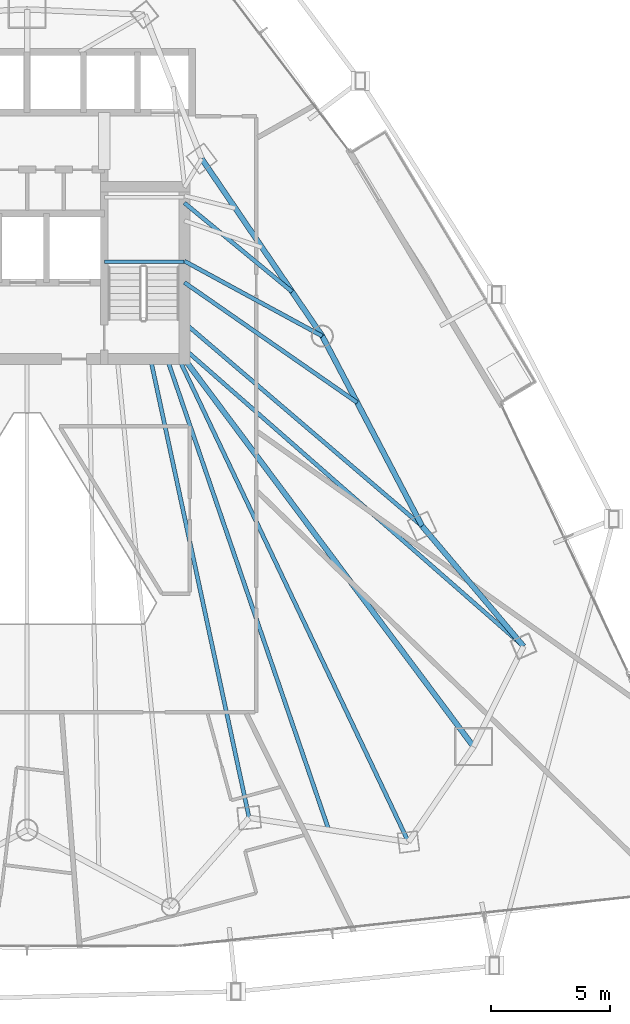
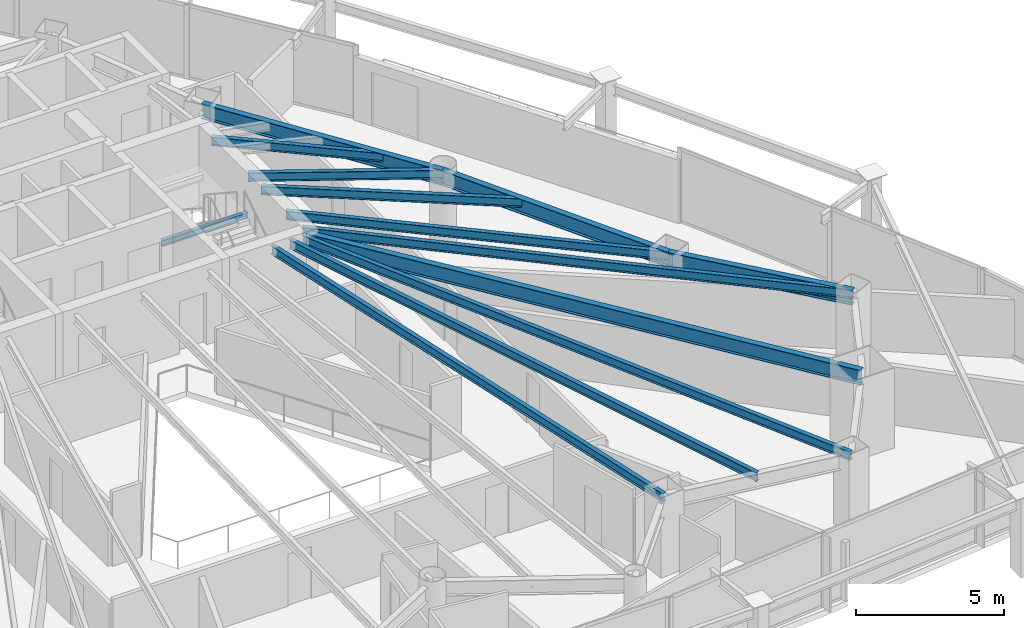
# One storey, part 17 of 33: 13 beams.
"""IFC4 building model written with IfcOpenShell, lengths in metres."""

from ifc_helpers import new_model, si_unit, direction, frame, origin, origin_2d, place, context, subcontext, project, spatial, i_section, extrude, material, material_profile, profile_set, type_object, element, save


model = new_model("IFC4")

# Units and contexts
model_context = context("Model", 3, precision=1e-05, world=origin(), true_north=direction((0.0, 1.0)))
body_context = subcontext(model_context, "Body", "Model", "MODEL_VIEW")
ifc_project = project(units=[si_unit("LENGTHUNIT", "METRE"), si_unit("AREAUNIT", "SQUARE_METRE"), si_unit("VOLUMEUNIT", "CUBIC_METRE"), si_unit("PLANEANGLEUNIT", "RADIAN"), si_unit("MASSUNIT", "GRAM", prefix="KILO")], contexts=[model_context])

# Site, building, storey
site_placement = place(None, origin())
site = spatial("IfcSite", under=ifc_project, at=site_placement, CompositionType="ELEMENT")
building_placement = place(site_placement, origin())
building = spatial("IfcBuilding", under=site, at=building_placement, Name="Orvanel Arch Residences", CompositionType="ELEMENT")
storey_placement = place(building_placement, frame((0.0, 0.0, 70.85009765625)))
storey = spatial("IfcBuildingStorey", under=building, at=storey_placement, Name="L19", CompositionType="ELEMENT", Elevation=70.85009765625)

# Beams
ifc_material = material(Name="Structural steel AS/NZS 3679.1 Grade 300 (300 MPa)", Category="steel")
ifc_material_profile_1 = material_profile(ifc_material, i_section(OverallWidth=0.22900390625, OverallDepth=0.612060546875, WebThickness=0.011962890625, FlangeThickness=0.01953125, at=origin_2d()), Name="610UB125")
ifc_profile_set_1 = profile_set([ifc_material_profile_1], Name="Structural steel AS/NZS 3679.1 Grade 300 (300 MPa)")
beam_type_1 = type_object("IfcBeamType", Name="BG-610UB", PredefinedType="BEAM", material=ifc_profile_set_1)
beam_1_placement = place(storey_placement, frame((39.625, 26.675048828125, 2.75390625), z_axis=(0.597893733742, -0.801575375839, 0.0), x_axis=(0.801575375839, 0.597893733742, 0.0)))
element("IfcBeam", 1, at=beam_1_placement, inside=storey, type_object=beam_type_1, Name="L19 South-East Radial Girder", PredefinedType="BEAM", context=body_context, shape_type="SweptSolid", body=[
    extrude(i_section(OverallWidth=0.22900390625, OverallDepth=0.612060546875, WebThickness=0.011962890625, FlangeThickness=0.01953125, at=origin_2d()), origin(), (0.0, 0.0, 1.0), 20.36474609375),
])
ifc_material_profile_2 = material_profile(ifc_material, i_section(OverallWidth=0.14599609375, OverallDepth=0.251953125, WebThickness=0.006103515625, FlangeThickness=0.008544921875, at=origin_2d()), Name="250UB31.4")
ifc_profile_set_2 = profile_set([ifc_material_profile_2], Name="Structural steel AS/NZS 3679.1 Grade 300 (300 MPa)")
beam_type_2 = type_object("IfcBeamType", Name="BJ-250UB", PredefinedType="JOIST", material=ifc_profile_set_2)
beam_2_placement = place(storey_placement, frame((36.25, 30.780029296875, 1.323974609375), z_axis=(1.0, 0.0, 0.0), x_axis=(0.0, 1.0, 0.0)))
element("IfcBeam", 2, at=beam_2_placement, inside=storey, type_object=beam_type_2, Name="L19 ST-2 Half-Landing Support Beam 1.1", PredefinedType="JOIST", context=body_context, shape_type="SweptSolid", body=[
    extrude(i_section(OverallWidth=0.14599609375, OverallDepth=0.251953125, WebThickness=0.006103515625, FlangeThickness=0.008544921875, at=origin_2d()), origin(), (0.0, 0.0, 1.0), 3.35009765625),
])
ifc_material_profile_3 = material_profile(ifc_material, i_section(OverallWidth=0.1708984375, OverallDepth=0.35595703125, WebThickness=0.00732421875, FlangeThickness=0.011474609375, at=origin_2d()), Name="360UB50.7")
ifc_profile_set_3 = profile_set([ifc_material_profile_3], Name="Structural steel AS/NZS 3679.1 Grade 300 (300 MPa)")
beam_type_3 = type_object("IfcBeamType", Name="BJ-360UB", PredefinedType="JOIST", material=ifc_profile_set_3)
beam_3_placement = place(storey_placement, frame((39.625, 30.800048828125, 2.8818359375), z_axis=(0.878399029914, -0.477927969726, 0.0), x_axis=(0.477927969726, 0.878399029914, 0.0)))
element("IfcBeam", 3, at=beam_3_placement, inside=storey, type_object=beam_type_3, Name="L19 NE Wing Floor Joist", PredefinedType="JOIST", context=body_context, shape_type="SweptSolid", body=[
    extrude(i_section(OverallWidth=0.1708984375, OverallDepth=0.35595703125, WebThickness=0.00732421875, FlangeThickness=0.011474609375, at=origin_2d()), origin(), (0.0, 0.0, 1.0), 6.609619140625),
])
beam_4_placement = place(storey_placement, frame((39.625, 28.199951171875, 2.8818359375), z_axis=(0.760024297953, -0.649894658018, 0.0), x_axis=(0.649894658018, 0.760024297953, 0.0)))
element("IfcBeam", 4, at=beam_4_placement, inside=storey, type_object=beam_type_3, Name="L19 E Wing Floor Joist", PredefinedType="JOIST", context=body_context, shape_type="SweptSolid", body=[
    extrude(i_section(OverallWidth=0.1708984375, OverallDepth=0.35595703125, WebThickness=0.00732421875, FlangeThickness=0.011474609375, at=origin_2d()), origin(), (0.0, 0.0, 1.0), 13.16796875),
])
beam_5_placement = place(storey_placement, frame((38.199951171875, 26.675048828125, 2.8818359375), z_axis=(0.210066515515, -0.977687096703, 0.0), x_axis=(0.977687096703, 0.210066515515, 0.0)))
element("IfcBeam", 5, at=beam_5_placement, inside=storey, type_object=beam_type_3, Name="L19 SE Wing Floor Joist", PredefinedType="JOIST", context=body_context, shape_type="SweptSolid", body=[
    extrude(i_section(OverallWidth=0.1708984375, OverallDepth=0.35595703125, WebThickness=0.00732421875, FlangeThickness=0.011474609375, at=origin_2d()), origin(), (0.0, 0.0, 1.0), 19.760986328125),
])
beam_6_placement = place(storey_placement, frame((39.625, 27.10009765625, 2.8818359375), z_axis=(0.751924114057, -0.659249669472, 0.0), x_axis=(0.659249669472, 0.751924114057, 0.0)))
element("IfcBeam", 6, at=beam_6_placement, inside=storey, type_object=beam_type_3, Name="L19 ME Wing Floor Joist", PredefinedType="JOIST", context=body_context, shape_type="SweptSolid", body=[
    extrude(i_section(OverallWidth=0.1708984375, OverallDepth=0.35595703125, WebThickness=0.00732421875, FlangeThickness=0.011474609375, at=origin_2d()), origin(), (0.0, 0.0, 1.0), 18.9912109375),
])
beam_7_placement = place(storey_placement, frame((39.39990234375, 26.675048828125, 2.8818359375), z_axis=(0.429042657795, -0.903284228686, 0.0), x_axis=(0.903284228686, 0.429042657795, 0.0)))
element("IfcBeam", 7, at=beam_7_placement, inside=storey, type_object=beam_type_3, Name="L19 MSE Wing Floor Joist", PredefinedType="JOIST", context=body_context, shape_type="SweptSolid", body=[
    extrude(i_section(OverallWidth=0.1708984375, OverallDepth=0.35595703125, WebThickness=0.00732421875, FlangeThickness=0.011474609375, at=origin_2d()), origin(), (0.0, 0.0, 1.0), 22.513427734375),
])
beam_8_placement = place(storey_placement, frame((39.625, 33.25, 2.8818359375), z_axis=(0.771468562814, -0.636267441089, 0.0), x_axis=(0.636267441089, 0.771468562814, 0.0)))
element("IfcBeam", 8, at=beam_8_placement, inside=storey, type_object=beam_type_3, Name="L19 LE Wing Floor Joist", PredefinedType="JOIST", context=body_context, shape_type="SweptSolid", body=[
    extrude(i_section(OverallWidth=0.1708984375, OverallDepth=0.35595703125, WebThickness=0.00732421875, FlangeThickness=0.011474609375, at=origin_2d()), origin(), (0.0, 0.0, 1.0), 5.879638671875),
])
beam_9_placement = place(storey_placement, frame((39.625, 29.89990234375, 2.8818359375), z_axis=(0.821089880853, -0.570798920427, 0.0), x_axis=(0.570798920427, 0.821089880853, 0.0)))
element("IfcBeam", 9, at=beam_9_placement, inside=storey, type_object=beam_type_3, Name="L19 CTE Wing Floor Joist", PredefinedType="JOIST", context=body_context, shape_type="SweptSolid", body=[
    extrude(i_section(OverallWidth=0.1708984375, OverallDepth=0.35595703125, WebThickness=0.00732421875, FlangeThickness=0.011474609375, at=origin_2d()), origin(), (0.0, 0.0, 1.0), 8.86279296875),
])
beam_10_placement = place(storey_placement, frame((38.89990234375, 26.675048828125, 2.8818359375), z_axis=(0.324621456495, -0.945844019901, 0.0), x_axis=(0.945844019901, 0.324621456495, 0.0)))
element("IfcBeam", 10, at=beam_10_placement, inside=storey, type_object=beam_type_3, Name="L19 JADD2 Wing Floor Joist", PredefinedType="JOIST", context=body_context, shape_type="SweptSolid", body=[
    extrude(i_section(OverallWidth=0.1708984375, OverallDepth=0.35595703125, WebThickness=0.00732421875, FlangeThickness=0.011474609375, at=origin_2d()), origin(), (0.0, 0.0, 1.0), 20.96337890625),
])
ifc_material_profile_4 = material_profile(ifc_material, i_section(OverallWidth=0.22900390625, OverallDepth=0.612060546875, WebThickness=0.011962890625, FlangeThickness=0.01953125, at=origin_2d()), Name="610UB125")
ifc_profile_set_4 = profile_set([ifc_material_profile_4], Name="Structural steel AS/NZS 3679.1 Grade 300 (300 MPa)")
beam_type_4 = type_object("IfcBeamType", Name="SP-610UB", PredefinedType="SPANDREL", material=ifc_profile_set_4)
beam_11_placement = place(storey_placement, frame((53.905029296875, 14.580078125, 2.75390625), z_axis=(-0.644950329775, 0.764224490659, 0.0), x_axis=(-0.764224490659, -0.644950329775, 0.0)))
element("IfcBeam", 11, at=beam_11_placement, inside=storey, type_object=beam_type_4, Name="L19 Perimeter Spandrel Beam 12", PredefinedType="SPANDREL", context=body_context, shape_type="SweptSolid", body=[
    extrude(i_section(OverallWidth=0.22900390625, OverallDepth=0.612060546875, WebThickness=0.011962890625, FlangeThickness=0.01953125, at=origin_2d()), origin(), (0.0, 0.0, 1.0), 6.623779296875),
])
beam_12_placement = place(storey_placement, frame((49.633056640625, 19.64208984375, 2.75390625), z_axis=(-0.465064762793, 0.885276660942, 0.0), x_axis=(-0.885276660942, -0.465064762793, 0.0)))
element("IfcBeam", 12, at=beam_12_placement, inside=storey, type_object=beam_type_4, Name="L19 Perimeter Spandrel Beam 13", PredefinedType="SPANDREL", context=body_context, shape_type="SweptSolid", body=[
    extrude(i_section(OverallWidth=0.22900390625, OverallDepth=0.612060546875, WebThickness=0.011962890625, FlangeThickness=0.01953125, at=origin_2d()), origin(), (0.0, 0.0, 1.0), 9.03564453125),
])
beam_13_placement = place(storey_placement, frame((45.430908203125, 27.64111328125, 2.75390625), z_axis=(-0.562154793153, 0.827032035978, 0.0), x_axis=(-0.827032035978, -0.562154793153, 0.0)))
element("IfcBeam", 13, at=beam_13_placement, inside=storey, type_object=beam_type_4, Name="L19 Perimeter Spandrel Beam 14", PredefinedType="SPANDREL", context=body_context, shape_type="SweptSolid", body=[
    extrude(i_section(OverallWidth=0.22900390625, OverallDepth=0.612060546875, WebThickness=0.011962890625, FlangeThickness=0.01953125, at=origin_2d()), origin(), (0.0, 0.0, 1.0), 9.03466796875),
])

save(model, "model.ifc")
